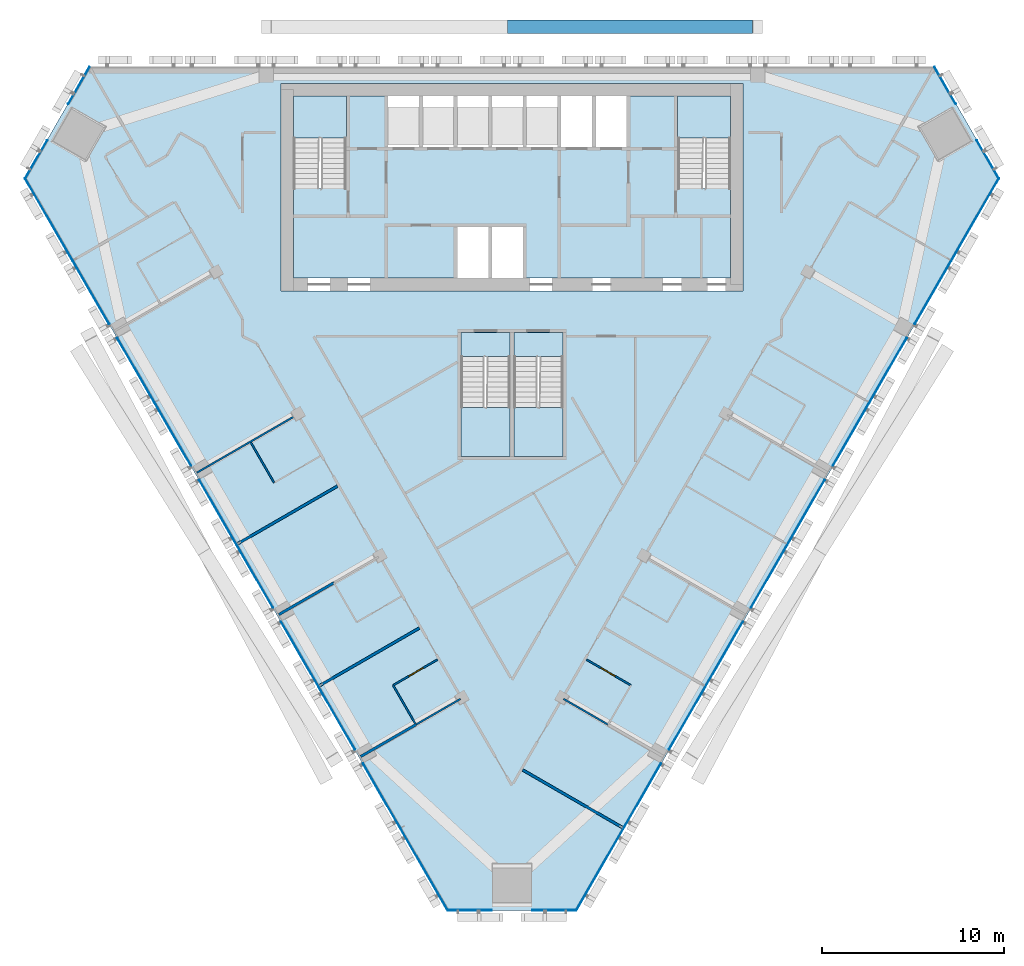
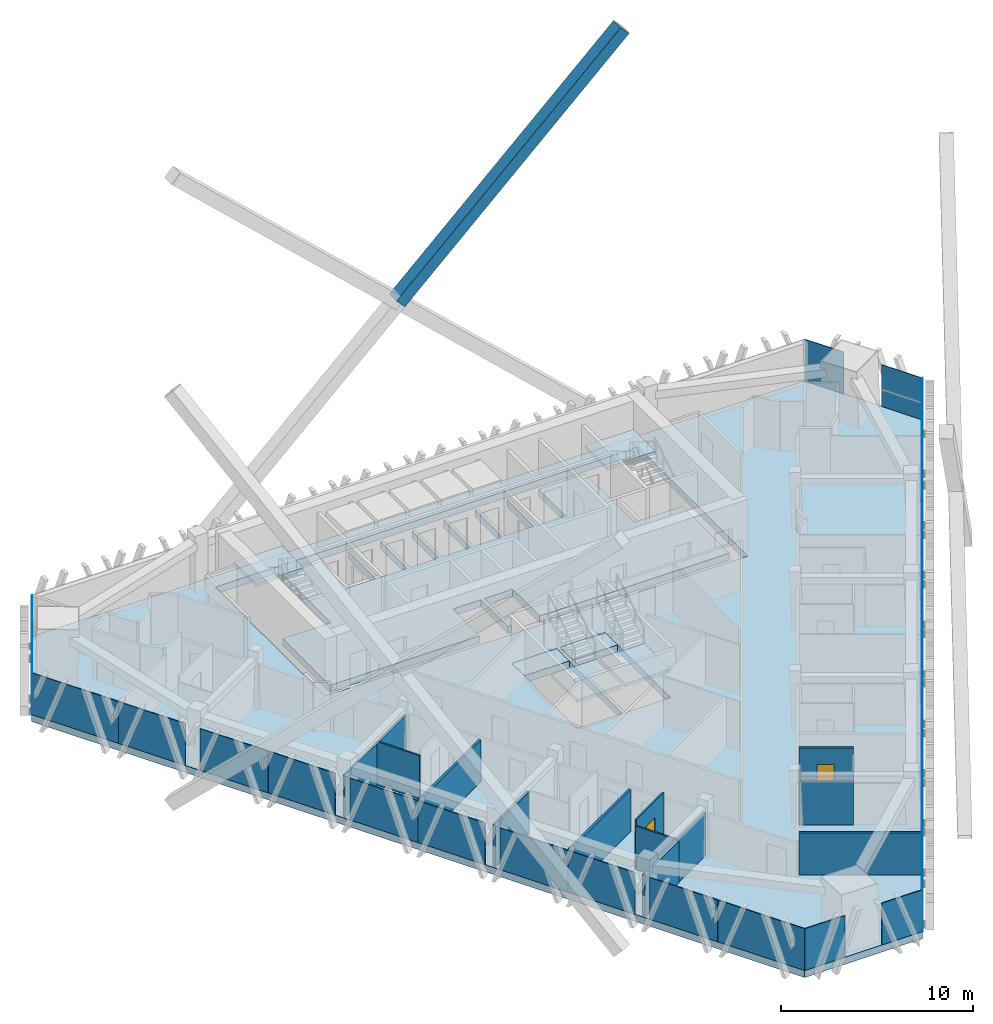
# One storey, part 10 of 18: 26 plates, 12 walls, 8 slabs, 2 doors, 1 member, 2 openings, 9 elements without a shape of their own.
"""IFC4 building model written with IfcOpenShell, lengths in metres."""

from ifc_helpers import new_model, si_unit, direction, frame, frame_2d, origin, origin_2d, place, context, subcontext, project, spatial, polyline, rectangle, hollow_rectangle, outline, extrude, material, layer, layer_set, material_profile, profile_set, type_object, element, fill, aggregate, save


model = new_model("IFC4")

# Units and contexts
model_context = context("Model", 3, precision=1e-05, world=origin(), true_north=direction((0.0, 1.0)))
body_context = subcontext(model_context, "Body", "Model", "MODEL_VIEW")
ifc_project = project(units=[si_unit("LENGTHUNIT", "METRE"), si_unit("AREAUNIT", "SQUARE_METRE"), si_unit("VOLUMEUNIT", "CUBIC_METRE"), si_unit("PLANEANGLEUNIT", "RADIAN"), si_unit("MASSUNIT", "GRAM", prefix="KILO")], contexts=[model_context])

# Site, building, storey
site_placement = place(None, origin())
site = spatial("IfcSite", under=ifc_project, at=site_placement, CompositionType="ELEMENT")
building_placement = place(site_placement, origin())
building = spatial("IfcBuilding", under=site, at=building_placement, Name="Altiplano Prism Tower", CompositionType="ELEMENT")
storey_placement = place(building_placement, frame((0.0, 0.0, 163.800048828125)))
storey = spatial("IfcBuildingStorey", under=building, at=storey_placement, Name="L42", CompositionType="ELEMENT", Elevation=163.800048828125)

# Member
ifc_material_1 = material(Name="Steel S355", Category="steel")
ifc_material_profile = material_profile(ifc_material_1, hollow_rectangle(XDim=0.75, YDim=0.75, WallThickness=0.0400390625, at=origin_2d()), Name="Mega brace Box 750x750x40")
ifc_profile_set = profile_set([ifc_material_profile], Name="Steel S355")
member_type = type_object("IfcMemberType", Name="Mega brace Box 750x750x40", PredefinedType="BRACE", material=ifc_profile_set)
member_placement = place(storey_placement, frame((85.0, 107.199951171875, 11.875), z_axis=(0.729038854961, 0.0, 0.684472313507), x_axis=(0.0, 1.0, 0.0)))
element("IfcMember", 1, at=member_placement, inside=storey, type_object=member_type, Name="Mega brace 4.0.4", PredefinedType="BRACE", context=body_context, shape_type="SweptSolid", body=[
    extrude(hollow_rectangle(XDim=0.75, YDim=0.75, WallThickness=0.0400390625, at=origin_2d()), origin(), (0.0, 0.0, 1.0), 18.477783203125),
])

# Curtain wall, plates
ifc_material_2 = material(Name="Aluminium and glass", Category="aluminium")
ifc_layer_1 = layer(ifc_material_2, 0.280029296875)
ifc_layer_set_1 = layer_set([ifc_layer_1], Name="Aluminium and glass")
curtain_wall_type = type_object("IfcCurtainWallType", Name="CW1 typical co-living unitised curtain wall", PredefinedType="NOTDEFINED", material=ifc_layer_set_1)
curtain_wall_1_placement = place(storey_placement, origin())
curtain_wall_1 = element("IfcCurtainWall", 2, at=curtain_wall_1_placement, inside=storey, type_object=curtain_wall_type, Name="CW1 curtain wall north-west chamfer L42", PredefinedType="NOTDEFINED")
ifc_material_3 = material(Name="Clear glass", Category="glass")
ifc_layer_2 = layer(ifc_material_3, 0.0400390625)
ifc_layer_set_2 = layer_set([ifc_layer_2], Name="Clear glass")
plate_type = type_object("IfcPlateType", Name="CW1 insulated glass unit 40", PredefinedType="CURTAIN_PANEL", material=ifc_layer_set_2)
plate_1_placement = place(storey_placement, frame((61.209228515625, 103.96923828125, 0.0), z_axis=(0.0, 0.0, 1.0), x_axis=(-0.500000014888, -0.866025395189, 0.0)))
plate_1 = element("IfcPlate", 3, at=plate_1_placement, type_object=plate_type, Name="CW1 panel", PredefinedType="CURTAIN_PANEL", context=body_context, shape_type="SweptSolid", body=[
    extrude(rectangle(XDim=2.34765625, YDim=0.0400390625, at=origin_2d()), origin(), (0.0, 0.0, 1.0), 2.64990234375),
])
plate_2_placement = place(storey_placement, frame((58.870361328125, 99.918212890625, 0.0), z_axis=(0.0, 0.0, 1.0), x_axis=(-0.500000014888, -0.866025395189, 0.0)))
plate_2 = element("IfcPlate", 4, at=plate_2_placement, type_object=plate_type, Name="CW1 panel", PredefinedType="CURTAIN_PANEL", context=body_context, shape_type="SweptSolid", body=[
    extrude(rectangle(XDim=2.427490234375, YDim=0.0400390625, at=origin_2d()), origin(), (0.0, 0.0, 1.0), 2.64990234375),
])
aggregate(curtain_wall_1, [plate_1, plate_2])

curtain_wall_2_placement = place(storey_placement, origin())
curtain_wall_2 = element("IfcCurtainWall", 5, at=curtain_wall_2_placement, inside=storey, type_object=curtain_wall_type, Name="CW1 curtain wall south-west face L42", PredefinedType="NOTDEFINED")
plate_3_placement = place(storey_placement, frame((59.565673828125, 96.623046875, 0.0), z_axis=(0.0, 0.0, 1.0), x_axis=(0.500000004943, -0.866025400931, 0.0)))
plate_3 = element("IfcPlate", 6, at=plate_3_placement, type_object=plate_type, Name="CW1 panel", PredefinedType="CURTAIN_PANEL", context=body_context, shape_type="SweptSolid", body=[
    extrude(rectangle(XDim=5.208740234375, YDim=0.0400390625, at=origin_2d()), origin(), (0.0, 0.0, 1.0), 2.64990234375),
])
plate_4_placement = place(storey_placement, frame((61.87548828125, 92.622314453125, 0.0), z_axis=(0.0, 0.0, 1.0), x_axis=(0.500000004943, -0.866025400931, 0.0)))
plate_4 = element("IfcPlate", 7, at=plate_4_placement, type_object=plate_type, Name="CW1 panel", PredefinedType="CURTAIN_PANEL", context=body_context, shape_type="SweptSolid", body=[
    extrude(rectangle(XDim=4.010498046875, YDim=0.0400390625, at=origin_2d()), origin(), (0.0, 0.0, 1.0), 2.64990234375),
])
plate_5_placement = place(storey_placement, frame((64.345458984375, 88.343994140625, 0.0), z_axis=(0.0, 0.0, 1.0), x_axis=(0.500000004943, -0.866025400931, 0.0)))
plate_5 = element("IfcPlate", 8, at=plate_5_placement, type_object=plate_type, Name="CW1 panel", PredefinedType="CURTAIN_PANEL", context=body_context, shape_type="SweptSolid", body=[
    extrude(rectangle(XDim=4.08935546875, YDim=0.0400390625, at=origin_2d()), origin(), (0.0, 0.0, 1.0), 2.64990234375),
])
plate_6_placement = place(storey_placement, frame((66.37548828125, 84.828125, 0.0), z_axis=(0.0, 0.0, 1.0), x_axis=(0.500000004943, -0.866025400931, 0.0)))
plate_6 = element("IfcPlate", 9, at=plate_6_placement, type_object=plate_type, Name="CW1 panel", PredefinedType="CURTAIN_PANEL", context=body_context, shape_type="SweptSolid", body=[
    extrude(rectangle(XDim=4.010498046875, YDim=0.0400390625, at=origin_2d()), origin(), (0.0, 0.0, 1.0), 2.64990234375),
])
plate_7_placement = place(storey_placement, frame((68.845458984375, 80.5498046875, 0.0), z_axis=(0.0, 0.0, 1.0), x_axis=(0.500000004943, -0.866025400931, 0.0)))
plate_7 = element("IfcPlate", 10, at=plate_7_placement, type_object=plate_type, Name="CW1 panel", PredefinedType="CURTAIN_PANEL", context=body_context, shape_type="SweptSolid", body=[
    extrude(rectangle(XDim=4.08935546875, YDim=0.0400390625, at=origin_2d()), origin(), (0.0, 0.0, 1.0), 2.64990234375),
])
plate_8_placement = place(storey_placement, frame((70.87548828125, 77.033935546875, 0.0), z_axis=(0.0, 0.0, 1.0), x_axis=(0.500000004943, -0.866025400931, 0.0)))
plate_8 = element("IfcPlate", 11, at=plate_8_placement, type_object=plate_type, Name="CW1 panel", PredefinedType="CURTAIN_PANEL", context=body_context, shape_type="SweptSolid", body=[
    extrude(rectangle(XDim=4.010498046875, YDim=0.0400390625, at=origin_2d()), origin(), (0.0, 0.0, 1.0), 2.64990234375),
])
plate_9_placement = place(storey_placement, frame((73.345458984375, 72.755615234375, 0.0), z_axis=(0.0, 0.0, 1.0), x_axis=(0.500000004943, -0.866025400931, 0.0)))
plate_9 = element("IfcPlate", 12, at=plate_9_placement, type_object=plate_type, Name="CW1 panel", PredefinedType="CURTAIN_PANEL", context=body_context, shape_type="SweptSolid", body=[
    extrude(rectangle(XDim=4.08935546875, YDim=0.0400390625, at=origin_2d()), origin(), (0.0, 0.0, 1.0), 2.64990234375),
])
plate_10_placement = place(storey_placement, frame((75.37548828125, 69.239501953125, 0.0), z_axis=(0.0, 0.0, 1.0), x_axis=(0.500000004943, -0.866025400931, 0.0)))
plate_10 = element("IfcPlate", 13, at=plate_10_placement, type_object=plate_type, Name="CW1 panel", PredefinedType="CURTAIN_PANEL", context=body_context, shape_type="SweptSolid", body=[
    extrude(rectangle(XDim=4.010498046875, YDim=0.0400390625, at=origin_2d()), origin(), (0.0, 0.0, 1.0), 2.64990234375),
])
plate_11_placement = place(storey_placement, frame((77.845458984375, 64.96142578125, 0.0), z_axis=(0.0, 0.0, 1.0), x_axis=(0.500000004943, -0.866025400931, 0.0)))
plate_11 = element("IfcPlate", 14, at=plate_11_placement, type_object=plate_type, Name="CW1 panel", PredefinedType="CURTAIN_PANEL", context=body_context, shape_type="SweptSolid", body=[
    extrude(rectangle(XDim=4.08935546875, YDim=0.0400390625, at=origin_2d()), origin(), (0.0, 0.0, 1.0), 2.64990234375),
])
plate_12_placement = place(storey_placement, frame((80.175048828125, 60.926513671875, 0.0), z_axis=(0.0, 0.0, 1.0), x_axis=(0.500000004943, -0.866025400931, 0.0)))
plate_12 = element("IfcPlate", 15, at=plate_12_placement, type_object=plate_type, Name="CW1 panel", PredefinedType="CURTAIN_PANEL", context=body_context, shape_type="SweptSolid", body=[
    extrude(rectangle(XDim=5.208740234375, YDim=0.0400390625, at=origin_2d()), origin(), (0.0, 0.0, 1.0), 2.64990234375),
])
aggregate(curtain_wall_2, [plate_3, plate_4, plate_5, plate_6, plate_7, plate_8, plate_9, plate_10, plate_11, plate_12])

curtain_wall_3_placement = place(storey_placement, origin())
curtain_wall_3 = element("IfcCurtainWall", 16, at=curtain_wall_3_placement, inside=storey, type_object=curtain_wall_type, Name="CW1 curtain wall south chamfer L42", PredefinedType="NOTDEFINED")
plate_13_placement = place(storey_placement, frame((82.68115234375, 58.6767578125, 0.0), z_axis=(0.0, 0.0, 1.0), x_axis=(1.0, 0.0, 0.0)))
plate_13 = element("IfcPlate", 17, at=plate_13_placement, type_object=plate_type, Name="CW1 panel", PredefinedType="CURTAIN_PANEL", context=body_context, shape_type="SweptSolid", body=[
    extrude(rectangle(XDim=2.427490234375, YDim=0.0400390625, at=origin_2d()), origin(), (0.0, 0.0, 1.0), 2.64990234375),
])
plate_14_placement = place(storey_placement, frame((87.31884765625, 58.6767578125, 0.0), z_axis=(0.0, 0.0, 1.0), x_axis=(1.0, 0.0, 0.0)))
plate_14 = element("IfcPlate", 18, at=plate_14_placement, type_object=plate_type, Name="CW1 panel", PredefinedType="CURTAIN_PANEL", context=body_context, shape_type="SweptSolid", body=[
    extrude(rectangle(XDim=2.427490234375, YDim=0.0400390625, at=origin_2d()), origin(), (0.0, 0.0, 1.0), 2.64990234375),
])
aggregate(curtain_wall_3, [plate_13, plate_14])

curtain_wall_4_placement = place(storey_placement, origin())
curtain_wall_4 = element("IfcCurtainWall", 19, at=curtain_wall_4_placement, inside=storey, type_object=curtain_wall_type, Name="CW1 curtain wall south-east face L42", PredefinedType="NOTDEFINED")
plate_15_placement = place(storey_placement, frame((89.824951171875, 60.926513671875, 0.0), z_axis=(0.0, 0.0, 1.0), x_axis=(0.500000004943, 0.866025400931, 0.0)))
plate_15 = element("IfcPlate", 20, at=plate_15_placement, type_object=plate_type, Name="CW1 panel", PredefinedType="CURTAIN_PANEL", context=body_context, shape_type="SweptSolid", body=[
    extrude(rectangle(XDim=5.208740234375, YDim=0.0400390625, at=origin_2d()), origin(), (0.0, 0.0, 1.0), 2.64990234375),
])
plate_16_placement = place(storey_placement, frame((92.154541015625, 64.96142578125, 0.0), z_axis=(0.0, 0.0, 1.0), x_axis=(0.500000004943, 0.866025400931, 0.0)))
plate_16 = element("IfcPlate", 21, at=plate_16_placement, type_object=plate_type, Name="CW1 panel", PredefinedType="CURTAIN_PANEL", context=body_context, shape_type="SweptSolid", body=[
    extrude(rectangle(XDim=4.08935546875, YDim=0.0400390625, at=origin_2d()), origin(), (0.0, 0.0, 1.0), 2.64990234375),
])
plate_17_placement = place(storey_placement, frame((94.62451171875, 69.239501953125, 0.0), z_axis=(0.0, 0.0, 1.0), x_axis=(0.500000004943, 0.866025400931, 0.0)))
plate_17 = element("IfcPlate", 22, at=plate_17_placement, type_object=plate_type, Name="CW1 panel", PredefinedType="CURTAIN_PANEL", context=body_context, shape_type="SweptSolid", body=[
    extrude(rectangle(XDim=4.010498046875, YDim=0.0400390625, at=origin_2d()), origin(), (0.0, 0.0, 1.0), 2.64990234375),
])
plate_18_placement = place(storey_placement, frame((96.654541015625, 72.755615234375, 0.0), z_axis=(0.0, 0.0, 1.0), x_axis=(0.500000004943, 0.866025400931, 0.0)))
plate_18 = element("IfcPlate", 23, at=plate_18_placement, type_object=plate_type, Name="CW1 panel", PredefinedType="CURTAIN_PANEL", context=body_context, shape_type="SweptSolid", body=[
    extrude(rectangle(XDim=4.08935546875, YDim=0.0400390625, at=origin_2d()), origin(), (0.0, 0.0, 1.0), 2.64990234375),
])
plate_19_placement = place(storey_placement, frame((99.12451171875, 77.033935546875, 0.0), z_axis=(0.0, 0.0, 1.0), x_axis=(0.500000004943, 0.866025400931, 0.0)))
plate_19 = element("IfcPlate", 24, at=plate_19_placement, type_object=plate_type, Name="CW1 panel", PredefinedType="CURTAIN_PANEL", context=body_context, shape_type="SweptSolid", body=[
    extrude(rectangle(XDim=4.010498046875, YDim=0.0400390625, at=origin_2d()), origin(), (0.0, 0.0, 1.0), 2.64990234375),
])
plate_20_placement = place(storey_placement, frame((101.154541015625, 80.5498046875, 0.0), z_axis=(0.0, 0.0, 1.0), x_axis=(0.500000004943, 0.866025400931, 0.0)))
plate_20 = element("IfcPlate", 25, at=plate_20_placement, type_object=plate_type, Name="CW1 panel", PredefinedType="CURTAIN_PANEL", context=body_context, shape_type="SweptSolid", body=[
    extrude(rectangle(XDim=4.08935546875, YDim=0.0400390625, at=origin_2d()), origin(), (0.0, 0.0, 1.0), 2.64990234375),
])
plate_21_placement = place(storey_placement, frame((103.62451171875, 84.828125, 0.0), z_axis=(0.0, 0.0, 1.0), x_axis=(0.500000004943, 0.866025400931, 0.0)))
plate_21 = element("IfcPlate", 26, at=plate_21_placement, type_object=plate_type, Name="CW1 panel", PredefinedType="CURTAIN_PANEL", context=body_context, shape_type="SweptSolid", body=[
    extrude(rectangle(XDim=4.010498046875, YDim=0.0400390625, at=origin_2d()), origin(), (0.0, 0.0, 1.0), 2.64990234375),
])
plate_22_placement = place(storey_placement, frame((105.654541015625, 88.343994140625, 0.0), z_axis=(0.0, 0.0, 1.0), x_axis=(0.500000004943, 0.866025400931, 0.0)))
plate_22 = element("IfcPlate", 27, at=plate_22_placement, type_object=plate_type, Name="CW1 panel", PredefinedType="CURTAIN_PANEL", context=body_context, shape_type="SweptSolid", body=[
    extrude(rectangle(XDim=4.08935546875, YDim=0.0400390625, at=origin_2d()), origin(), (0.0, 0.0, 1.0), 2.64990234375),
])
plate_23_placement = place(storey_placement, frame((108.12451171875, 92.622314453125, 0.0), z_axis=(0.0, 0.0, 1.0), x_axis=(0.500000004943, 0.866025400931, 0.0)))
plate_23 = element("IfcPlate", 28, at=plate_23_placement, type_object=plate_type, Name="CW1 panel", PredefinedType="CURTAIN_PANEL", context=body_context, shape_type="SweptSolid", body=[
    extrude(rectangle(XDim=4.010498046875, YDim=0.0400390625, at=origin_2d()), origin(), (0.0, 0.0, 1.0), 2.64990234375),
])
plate_24_placement = place(storey_placement, frame((110.434326171875, 96.623046875, 0.0), z_axis=(0.0, 0.0, 1.0), x_axis=(0.500000004943, 0.866025400931, 0.0)))
plate_24 = element("IfcPlate", 29, at=plate_24_placement, type_object=plate_type, Name="CW1 panel", PredefinedType="CURTAIN_PANEL", context=body_context, shape_type="SweptSolid", body=[
    extrude(rectangle(XDim=5.208740234375, YDim=0.0400390625, at=origin_2d()), origin(), (0.0, 0.0, 1.0), 2.64990234375),
])
aggregate(curtain_wall_4, [plate_15, plate_16, plate_17, plate_18, plate_19, plate_20, plate_21, plate_22, plate_23, plate_24])

curtain_wall_5_placement = place(storey_placement, origin())
curtain_wall_5 = element("IfcCurtainWall", 30, at=curtain_wall_5_placement, inside=storey, type_object=curtain_wall_type, Name="CW1 curtain wall north-east chamfer L42", PredefinedType="NOTDEFINED")
plate_25_placement = place(storey_placement, frame((111.129638671875, 99.918212890625, 0.0), z_axis=(0.0, 0.0, 1.0), x_axis=(-0.500000014888, 0.866025395189, 0.0)))
plate_25 = element("IfcPlate", 31, at=plate_25_placement, type_object=plate_type, Name="CW1 panel", PredefinedType="CURTAIN_PANEL", context=body_context, shape_type="SweptSolid", body=[
    extrude(rectangle(XDim=2.427490234375, YDim=0.0400390625, at=origin_2d()), origin(), (0.0, 0.0, 1.0), 2.64990234375),
])
plate_26_placement = place(storey_placement, frame((108.790771484375, 103.96923828125, 0.0), z_axis=(0.0, 0.0, 1.0), x_axis=(-0.500000014888, 0.866025395189, 0.0)))
plate_26 = element("IfcPlate", 32, at=plate_26_placement, type_object=plate_type, Name="CW1 panel", PredefinedType="CURTAIN_PANEL", context=body_context, shape_type="SweptSolid", body=[
    extrude(rectangle(XDim=2.34765625, YDim=0.0400390625, at=origin_2d()), origin(), (0.0, 0.0, 1.0), 2.64990234375),
])
aggregate(curtain_wall_5, [plate_25, plate_26])

# Slabs
ifc_material_4 = material(Name="Concrete C40/50", Category="concrete")
ifc_layer_3 = layer(ifc_material_4, 0.449951171875)
ifc_layer_set_3 = layer_set([ifc_layer_3], Name="Concrete C40/50")
slab_type_1 = type_object("IfcSlabType", Name="Core floor slab 450", PredefinedType="FLOOR", material=ifc_layer_set_3)
slab_1_placement = place(storey_placement, frame((0.0, 0.0, -0.449951171875)))
element("IfcSlab", 33, at=slab_1_placement, inside=storey, type_object=slab_type_1, Name="Core floor slab L42", PredefinedType="FLOOR", context=body_context, shape_type="SweptSolid", body=[
    extrude(outline(polyline([(97.0, 98.31005859375), (94.10009765625, 98.31005859375), (94.10009765625, 103.39990234375), (91.300048828125, 103.39990234375), (91.300048828125, 100.60009765625), (89.60009765625, 100.60009765625), (89.60009765625, 103.39990234375), (89.39990234375, 103.39990234375), (89.39990234375, 100.60009765625), (87.699951171875, 100.60009765625), (87.699951171875, 103.39990234375), (87.5, 103.39990234375), (87.5, 100.60009765625), (85.800048828125, 100.60009765625), (85.800048828125, 103.39990234375), (85.60009765625, 103.39990234375), (85.60009765625, 100.60009765625), (83.89990234375, 100.60009765625), (83.89990234375, 103.39990234375), (83.699951171875, 103.39990234375), (83.699951171875, 100.60009765625), (82.0, 100.60009765625), (82.0, 103.39990234375), (81.800048828125, 103.39990234375), (81.800048828125, 100.60009765625), (80.10009765625, 100.60009765625), (80.10009765625, 103.39990234375), (79.89990234375, 103.39990234375), (79.89990234375, 100.60009765625), (78.199951171875, 100.60009765625), (78.199951171875, 103.39990234375), (75.89990234375, 103.39990234375), (75.89990234375, 98.31005859375), (73.0, 98.31005859375), (73.0, 93.39990234375), (82.0, 93.39990234375), (82.0, 96.199951171875), (83.699951171875, 96.199951171875), (83.699951171875, 93.39990234375), (83.89990234375, 93.39990234375), (83.89990234375, 96.199951171875), (85.60009765625, 96.199951171875), (85.60009765625, 93.39990234375), (97.0, 93.39990234375), (97.0, 98.31005859375)])), origin(), (0.0, 0.0, 1.0), 0.449951171875),
])
slab_2_placement = place(storey_placement, frame((0.0, 0.0, -0.449951171875)))
element("IfcSlab", 34, at=slab_2_placement, inside=storey, type_object=slab_type_1, Name="Stair 3A landing slab L42", PredefinedType="FLOOR", context=body_context, shape_type="SweptSolid", body=[
    extrude(outline(polyline([(82.199951171875, 89.096923828125), (84.89990234375, 89.096923828125), (84.89990234375, 90.39990234375), (82.199951171875, 90.39990234375), (82.199951171875, 89.096923828125)])), origin(), (0.0, 0.0, 1.0), 0.449951171875),
])
slab_3_placement = place(storey_placement, frame((0.0, 0.0, -0.449951171875)))
element("IfcSlab", 35, at=slab_3_placement, inside=storey, type_object=slab_type_1, Name="Stair 3B landing slab L42", PredefinedType="FLOOR", context=body_context, shape_type="SweptSolid", body=[
    extrude(outline(polyline([(85.10009765625, 89.096923828125), (87.800048828125, 89.096923828125), (87.800048828125, 90.39990234375), (85.10009765625, 90.39990234375), (85.10009765625, 89.096923828125)])), origin(), (0.0, 0.0, 1.0), 0.449951171875),
])
ifc_layer_4 = layer(ifc_material_4, 0.449951171875)
ifc_layer_set_4 = layer_set([ifc_layer_4], Name="Concrete C40/50")
slab_type_2 = type_object("IfcSlabType", Name="Post-tensioned flat slab 450", PredefinedType="FLOOR", material=ifc_layer_set_4)
slab_4_placement = place(storey_placement, frame((0.0, 0.0, -0.449951171875)))
element("IfcSlab", 36, at=slab_4_placement, inside=storey, type_object=slab_type_2, Name="Floor slab L42", PredefinedType="FLOOR", context=body_context, shape_type="SweptSolid", body=[
    extrude(outline(polyline([(81.46240234375, 58.65673828125), (58.24365234375, 98.872802734375), (61.78125, 105.0), (108.21875, 105.0), (111.75634765625, 98.872802734375), (88.53759765625, 58.65673828125), (81.46240234375, 58.65673828125)]), holes=[polyline([(72.300048828125, 104.10009765625), (72.300048828125, 92.699951171875), (97.699951171875, 92.699951171875), (97.699951171875, 104.10009765625), (72.300048828125, 104.10009765625)]), polyline([(84.89990234375, 90.39990234375), (82.199951171875, 90.39990234375), (82.199951171875, 83.60009765625), (84.89990234375, 83.60009765625), (84.89990234375, 90.39990234375)]), polyline([(87.800048828125, 83.60009765625), (87.800048828125, 90.39990234375), (85.10009765625, 90.39990234375), (85.10009765625, 83.60009765625), (87.800048828125, 83.60009765625)])]), origin(), (0.0, 0.0, 1.0), 0.449951171875),
])

# Stair, slab
stair_type_1 = type_object("IfcStairType", Name="Exit stair 1400", PredefinedType="HALF_TURN_STAIR", material=ifc_material_4)
stair_1_placement = place(storey_placement, origin())
stair_1 = element("IfcStair", 37, at=stair_1_placement, inside=storey, type_object=stair_type_1, Name="L42 Exit Stair 1", PredefinedType="HALF_TURN_STAIR")
ifc_layer_5 = layer(ifc_material_4, 0.199951171875)
ifc_layer_set_5 = layer_set([ifc_layer_5], Name="Concrete C40/50")
slab_type_3 = type_object("IfcSlabType", Name="Stair landing 200", PredefinedType="LANDING", material=ifc_layer_set_5)
slab_5_placement = place(storey_placement, frame((0.0, 0.0, 1.599853515625)))
slab_5 = element("IfcSlab", 38, at=slab_5_placement, type_object=slab_type_3, Name="ST1 landing 1", PredefinedType="LANDING", context=body_context, shape_type="SweptSolid", body=[
    extrude(outline(polyline([(75.89990234375, 101.096923828125), (75.89990234375, 103.39990234375), (73.0, 103.39990234375), (73.0, 101.096923828125), (75.89990234375, 101.096923828125)])), origin(), (0.0, 0.0, 1.0), 0.2001953125),
])
aggregate(stair_1, [slab_5])

stair_2_placement = place(storey_placement, origin())
stair_2 = element("IfcStair", 39, at=stair_2_placement, inside=storey, type_object=stair_type_1, Name="L42 Exit Stair 2", PredefinedType="HALF_TURN_STAIR")
slab_6_placement = place(storey_placement, frame((0.0, 0.0, 1.599853515625)))
slab_6 = element("IfcSlab", 40, at=slab_6_placement, type_object=slab_type_3, Name="ST2 landing 1", PredefinedType="LANDING", context=body_context, shape_type="SweptSolid", body=[
    extrude(outline(polyline([(97.0, 101.096923828125), (97.0, 103.39990234375), (94.10009765625, 103.39990234375), (94.10009765625, 101.096923828125), (97.0, 101.096923828125)])), origin(), (0.0, 0.0, 1.0), 0.2001953125),
])
aggregate(stair_2, [slab_6])

stair_type_2 = type_object("IfcStairType", Name="Exit stair 1300", PredefinedType="HALF_TURN_STAIR", material=ifc_material_4)
stair_3_placement = place(storey_placement, origin())
stair_3 = element("IfcStair", 41, at=stair_3_placement, inside=storey, type_object=stair_type_2, Name="L42 Exit Stair 3A", PredefinedType="HALF_TURN_STAIR")
slab_7_placement = place(storey_placement, frame((0.0, 0.0, 1.599853515625)))
slab_7 = element("IfcSlab", 42, at=slab_7_placement, type_object=slab_type_3, Name="ST3A landing 1", PredefinedType="LANDING", context=body_context, shape_type="SweptSolid", body=[
    extrude(outline(polyline([(82.199951171875, 86.302978515625), (82.199951171875, 83.60009765625), (84.89990234375, 83.60009765625), (84.89990234375, 86.302978515625), (82.199951171875, 86.302978515625)])), origin(), (0.0, 0.0, 1.0), 0.2001953125),
])
aggregate(stair_3, [slab_7])

stair_4_placement = place(storey_placement, origin())
stair_4 = element("IfcStair", 43, at=stair_4_placement, inside=storey, type_object=stair_type_2, Name="L42 Exit Stair 3B", PredefinedType="HALF_TURN_STAIR")
slab_8_placement = place(storey_placement, frame((0.0, 0.0, 1.599853515625)))
slab_8 = element("IfcSlab", 44, at=slab_8_placement, type_object=slab_type_3, Name="ST3B landing 1", PredefinedType="LANDING", context=body_context, shape_type="SweptSolid", body=[
    extrude(outline(polyline([(85.10009765625, 86.302978515625), (85.10009765625, 83.60009765625), (87.800048828125, 83.60009765625), (87.800048828125, 86.302978515625), (85.10009765625, 86.302978515625)])), origin(), (0.0, 0.0, 1.0), 0.2001953125),
])
aggregate(stair_4, [slab_8])

# Walls
ifc_material_5 = material(Name="Plasterboard on steel stud", Category="steel")
ifc_layer_6 = layer(ifc_material_5, 0.10009765625)
ifc_layer_set_6 = layer_set([ifc_layer_6], Name="Plasterboard on steel stud")
wall_type_1 = type_object("IfcWallType", Name="Partition 100 unit", PredefinedType="PARTITIONING", material=ifc_layer_set_6)
wall_1_placement = place(storey_placement, frame((71.93408203125, 82.16015625, 0.0), z_axis=(0.0, 0.0, 1.0), x_axis=(-0.499948979701, 0.866054858364, 0.0)))
element("IfcWall", 45, at=wall_1_placement, inside=storey, type_object=wall_type_1, Name="Partition P02 L42 050", PredefinedType="PARTITIONING", context=body_context, shape_type="SweptSolid", body=[
    extrude(rectangle(XDim=2.550048828125, YDim=0.10009765625, at=frame_2d((1.27490234375, 0.0))), origin(), (0.0, 0.0, 1.0), 2.75),
])
wall_2_placement = place(storey_placement, frame((79.683349609375, 68.9384765625, 0.0), z_axis=(0.0, 0.0, 1.0), x_axis=(-0.500047793048, 0.865997808697, 0.0)))
element("IfcWall", 46, at=wall_2_placement, inside=storey, type_object=wall_type_1, Name="Partition P02 L42 057", PredefinedType="PARTITIONING", context=body_context, shape_type="SweptSolid", body=[
    extrude(rectangle(XDim=2.425048828125, YDim=0.10009765625, at=frame_2d((1.21240234375, 0.0))), origin(), (0.0, 0.0, 1.0), 2.75),
])

# Wall, opening, door
wall_3_placement = place(storey_placement, frame((78.470703125, 71.03857421875, 0.0), z_axis=(0.0, 0.0, 1.0), x_axis=(0.866048868473, 0.499959355765, 0.0)))
wall_3 = element("IfcWall", 47, at=wall_3_placement, inside=storey, type_object=wall_type_1, Name="Partition P02 L42 058", PredefinedType="PARTITIONING", context=body_context, shape_type="SweptSolid", body=[
    extrude(rectangle(XDim=2.824951171875, YDim=0.10009765625, at=frame_2d((1.41259765625, 0.0))), origin(), (0.0, 0.0, 1.0), 3.14990234375),
])
opening_1_placement = place(wall_3_placement, frame((1.0, 0.0, 0.0)))
opening_1 = element("IfcOpeningElement", 48, at=opening_1_placement, cuts=wall_3, Name="Opening D1489", PredefinedType="OPENING", context=body_context, shape_type="SweptSolid", body=[
    extrude(rectangle(XDim=0.89990234375, YDim=2.10009765625, at=frame_2d((0.449951171875, 1.050048828125))), frame((0.0, 0.060546875, 0.0), z_axis=(0.0, -1.0, 0.0), x_axis=(1.0, 0.0, 0.0)), (0.0, 0.0, 1.0), 0.12109375),
])
ifc_material_6 = material(Name="Timber", Category="wood")
door_type = type_object("IfcDoorType", Name="Ensuite door 900 x 2100", OperationType="NOTDEFINED", PredefinedType="NOTDEFINED", material=ifc_material_6)
door_1_placement = place(opening_1_placement, origin())
door_1 = element("IfcDoor", 49, at=door_1_placement, inside=storey, type_object=door_type, Name="Door D1489", OperationType="SINGLE_SWING_RIGHT", OverallHeight=2.10009765625, OverallWidth=0.89990234375, PredefinedType="NOTDEFINED", context=body_context, shape_type="SweptSolid", body=[
    extrude(rectangle(XDim=0.89990234375, YDim=2.10009765625, at=frame_2d((0.449951171875, 1.050048828125))), frame((0.0, 0.02490234375, 0.0), z_axis=(0.0, -1.0, 0.0), x_axis=(1.0, 0.0, 0.0)), (0.0, 0.0, 1.0), 0.050048828125),
])
fill(opening_1, door_1)

wall_4_placement = place(storey_placement, frame((89.082763671875, 72.450927734375, 0.0), z_axis=(0.0, 0.0, 1.0), x_axis=(0.866048868473, -0.499959355765, 0.0)))
wall_4 = element("IfcWall", 50, at=wall_4_placement, inside=storey, type_object=wall_type_1, Name="Partition P02 L42 064", PredefinedType="PARTITIONING", context=body_context, shape_type="SweptSolid", body=[
    extrude(rectangle(XDim=2.824951171875, YDim=0.10009765625, at=frame_2d((1.41259765625, 0.0))), origin(), (0.0, 0.0, 1.0), 3.14990234375),
])
opening_2_placement = place(wall_4_placement, frame((0.925048828125, 0.0, 0.0)))
opening_2 = element("IfcOpeningElement", 51, at=opening_2_placement, cuts=wall_4, Name="Opening D1493", PredefinedType="OPENING", context=body_context, shape_type="SweptSolid", body=[
    extrude(rectangle(XDim=0.89990234375, YDim=2.10009765625, at=frame_2d((0.449951171875, 1.050048828125))), frame((0.0, 0.060546875, 0.0), z_axis=(0.0, -1.0, 0.0), x_axis=(1.0, 0.0, 0.0)), (0.0, 0.0, 1.0), 0.12109375),
])
door_2_placement = place(opening_2_placement, origin())
door_2 = element("IfcDoor", 52, at=door_2_placement, inside=storey, type_object=door_type, Name="Door D1493", OperationType="SINGLE_SWING_LEFT", OverallHeight=2.10009765625, OverallWidth=0.89990234375, PredefinedType="NOTDEFINED", context=body_context, shape_type="SweptSolid", body=[
    extrude(rectangle(XDim=0.89990234375, YDim=2.10009765625, at=frame_2d((0.449951171875, 1.050048828125))), frame((0.0, 0.02490234375, 0.0), z_axis=(0.0, -1.0, 0.0), x_axis=(1.0, 0.0, 0.0)), (0.0, 0.0, 1.0), 0.050048828125),
])
fill(opening_2, door_2)

# Walls
ifc_layer_7 = layer(ifc_material_5, 0.10009765625)
ifc_layer_set_7 = layer_set([ifc_layer_7], Name="Plasterboard on steel stud")
wall_type_2 = type_object("IfcWallType", Name="Partition 100 wet", PredefinedType="PARTITIONING", material=ifc_layer_set_7)
wall_5_placement = place(storey_placement, frame((67.689697265625, 82.7119140625, 0.0), z_axis=(0.0, 0.0, 1.0), x_axis=(0.866032601554, 0.49998753289, 0.0)))
element("IfcWall", 53, at=wall_5_placement, inside=storey, type_object=wall_type_2, Name="Partition P03 L42 048", PredefinedType="PARTITIONING", context=body_context, shape_type="SweptSolid", body=[
    extrude(rectangle(XDim=6.324951171875, YDim=0.10009765625, at=frame_2d((3.16259765625, 0.0))), origin(), (0.0, 0.0, 1.0), 2.64990234375),
])
wall_6_placement = place(storey_placement, frame((79.738037109375, 68.88330078125, 0.0), z_axis=(0.0, 0.0, 1.0), x_axis=(0.866011654119, 0.500023814363, 0.0)))
element("IfcWall", 54, at=wall_6_placement, inside=storey, type_object=wall_type_2, Name="Partition P03 L42 060", PredefinedType="PARTITIONING", context=body_context, shape_type="SweptSolid", body=[
    extrude(rectangle(XDim=2.804931640625, YDim=0.10009765625, at=frame_2d((1.40234375, 0.0))), origin(), (0.0, 0.0, 1.0), 2.75),
])
wall_7_placement = place(storey_placement, frame((90.279296875, 68.873291015625, 0.0), z_axis=(0.0, 0.0, 1.0), x_axis=(-0.866011447264, 0.500024172624, 0.0)))
element("IfcWall", 55, at=wall_7_placement, inside=storey, type_object=wall_type_2, Name="Partition P03 L42 063", PredefinedType="PARTITIONING", context=body_context, shape_type="SweptSolid", body=[
    extrude(rectangle(XDim=2.824951171875, YDim=0.10009765625, at=frame_2d((1.41259765625, 0.0))), origin(), (0.0, 0.0, 1.0), 2.75),
])
ifc_layer_8 = layer(ifc_material_5, 0.14990234375)
ifc_layer_set_8 = layer_set([ifc_layer_8], Name="Plasterboard on steel stud")
wall_type_3 = type_object("IfcWallType", Name="Partition 150 party", PredefinedType="PARTITIONING", material=ifc_layer_set_8)
wall_8_placement = place(storey_placement, frame((69.922119140625, 78.8046875, 0.0), z_axis=(0.0, 0.0, 1.0), x_axis=(0.866025401434, 0.500000004071, 0.0)))
element("IfcWall", 56, at=wall_8_placement, inside=storey, type_object=wall_type_3, Name="Partition P01 L42 051", PredefinedType="PARTITIONING", context=body_context, shape_type="SweptSolid", body=[
    extrude(rectangle(XDim=6.34521484375, YDim=0.14990234375, at=frame_2d((3.172607421875, 0.0))), origin(), (0.0, 0.0, 1.0), 2.64990234375),
])
wall_9_placement = place(storey_placement, frame((72.189697265625, 74.917724609375, 0.0), z_axis=(0.0, 0.0, 1.0), x_axis=(0.866019471182, 0.500010275428, 0.0)))
element("IfcWall", 57, at=wall_9_placement, inside=storey, type_object=wall_type_3, Name="Partition P01 L42 052", PredefinedType="PARTITIONING", context=body_context, shape_type="SweptSolid", body=[
    extrude(rectangle(XDim=3.5, YDim=0.14990234375, at=frame_2d((1.75, 0.0))), origin(), (0.0, 0.0, 1.0), 2.64990234375),
])
wall_10_placement = place(storey_placement, frame((74.422119140625, 71.010498046875, 0.0), z_axis=(0.0, 0.0, 1.0), x_axis=(0.866025401434, 0.500000004071, 0.0)))
element("IfcWall", 58, at=wall_10_placement, inside=storey, type_object=wall_type_3, Name="Partition P01 L42 056", PredefinedType="PARTITIONING", context=body_context, shape_type="SweptSolid", body=[
    extrude(rectangle(XDim=6.34521484375, YDim=0.14990234375, at=frame_2d((3.172607421875, 0.0))), origin(), (0.0, 0.0, 1.0), 2.64990234375),
])
wall_11_placement = place(storey_placement, frame((76.689697265625, 67.123291015625, 0.0), z_axis=(0.0, 0.0, 1.0), x_axis=(0.866019260715, 0.500010639957, 0.0)))
element("IfcWall", 59, at=wall_11_placement, inside=storey, type_object=wall_type_3, Name="Partition P01 L42 059", PredefinedType="PARTITIONING", context=body_context, shape_type="SweptSolid", body=[
    extrude(rectangle(XDim=3.52001953125, YDim=0.14990234375, at=frame_2d((1.760009765625, 0.0))), origin(), (0.0, 0.0, 1.0), 2.64990234375),
])
wall_12_placement = place(storey_placement, frame((91.077880859375, 63.21630859375, 0.0), z_axis=(0.0, 0.0, 1.0), x_axis=(-0.866025401434, 0.500000004071, 0.0)))
element("IfcWall", 60, at=wall_12_placement, inside=storey, type_object=wall_type_3, Name="Partition P01 L42 061", PredefinedType="PARTITIONING", context=body_context, shape_type="SweptSolid", body=[
    extrude(rectangle(XDim=6.34521484375, YDim=0.14990234375, at=frame_2d((3.172607421875, 0.0))), origin(), (0.0, 0.0, 1.0), 2.64990234375),
])

save(model, "model.ifc")
